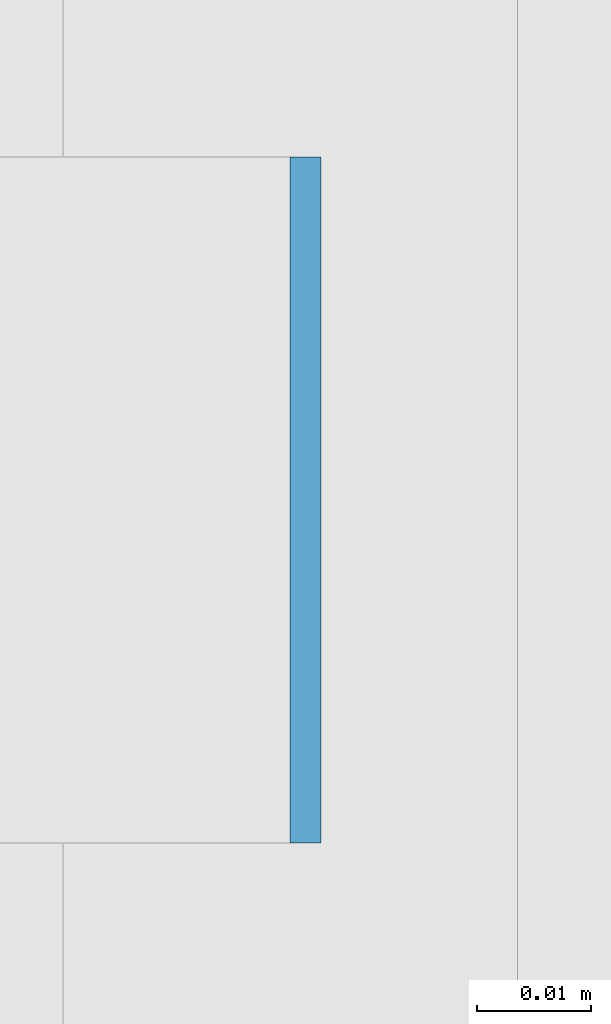
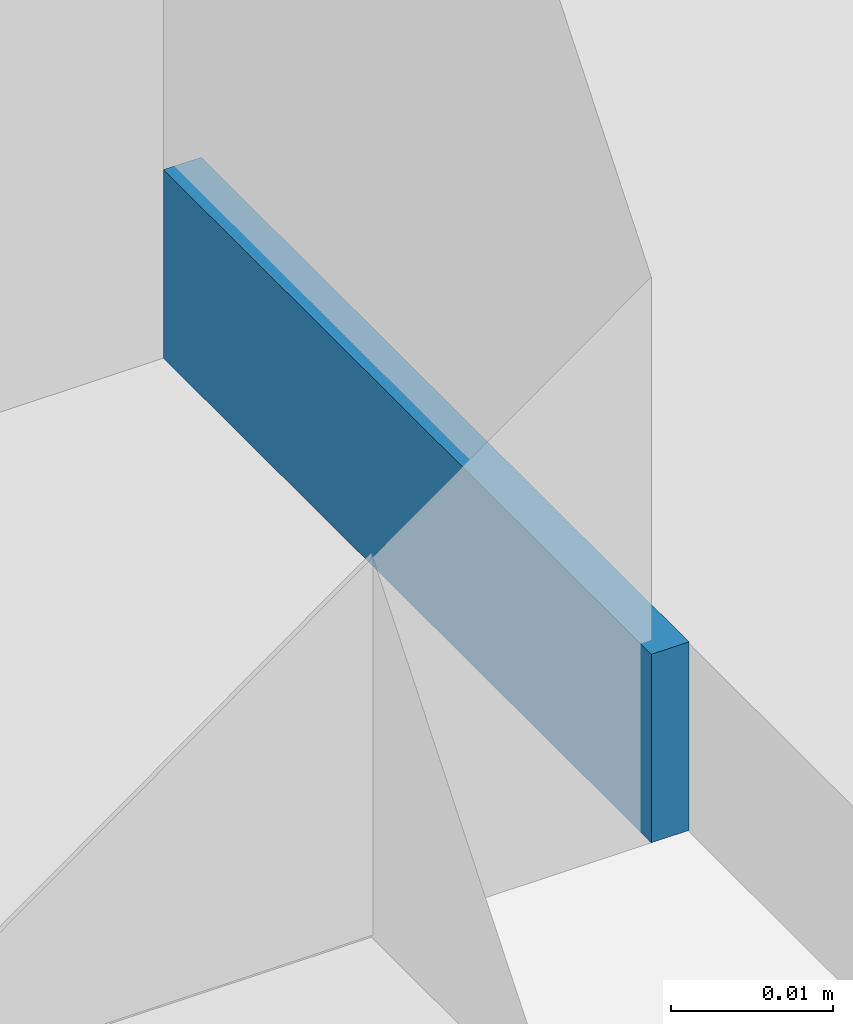
# One storey, part 416 of 646: 1 discrete accessory.
"""IFC4 building model written with IfcOpenShell, lengths in metres."""

from ifc_helpers import new_model, si_unit, direction, frame, origin, origin_2d, place, context, subcontext, project, spatial, rectangle, extrude, material, type_object, element, save


model = new_model("IFC4")

# Units and contexts
model_context = context("Model", 3, precision=1e-05, world=origin(), true_north=direction((0.0, 1.0)))
body_context = subcontext(model_context, "Body", "Model", "MODEL_VIEW")
ifc_project = project(units=[si_unit("LENGTHUNIT", "METRE"), si_unit("AREAUNIT", "SQUARE_METRE"), si_unit("VOLUMEUNIT", "CUBIC_METRE"), si_unit("PLANEANGLEUNIT", "RADIAN"), si_unit("MASSUNIT", "GRAM", prefix="KILO")], contexts=[model_context])

# Site, building, storey
site_placement = place(None, origin())
site = spatial("IfcSite", under=ifc_project, at=site_placement, CompositionType="ELEMENT")
building_placement = place(site_placement, origin())
building = spatial("IfcBuilding", under=site, at=building_placement, Name="Silverbay Arena", CompositionType="ELEMENT")
storey_placement = place(building_placement, frame((0.0, 0.0, 33.5)))
storey = spatial("IfcBuildingStorey", under=building, at=storey_placement, Name="L05", CompositionType="ELEMENT", Elevation=33.5)

# Discrete accessory
ifc_material = material(Name="Steel S355", Category="steel")
discrete_accessory_type = type_object("IfcDiscreteAccessoryType", Name="Steel bracket plate", PredefinedType="BRACKET", material=ifc_material)
discrete_accessory_placement = place(storey_placement, frame((53.871337890625, 127.433349609375, 4.0), z_axis=(0.0, 0.0, 1.0), x_axis=(1.0, 0.0, 0.0)))
element("IfcDiscreteAccessory", 1, at=discrete_accessory_placement, inside=storey, type_object=discrete_accessory_type, Name="Curtain wall packing plate", PredefinedType="BRACKET", context=body_context, shape_type="SweptSolid", body=[
    extrude(rectangle(XDim=0.002685546875, YDim=0.06005859375, at=origin_2d()), origin(), (0.0, 0.0, 1.0), 0.01416015625),
])

save(model, "model.ifc")
